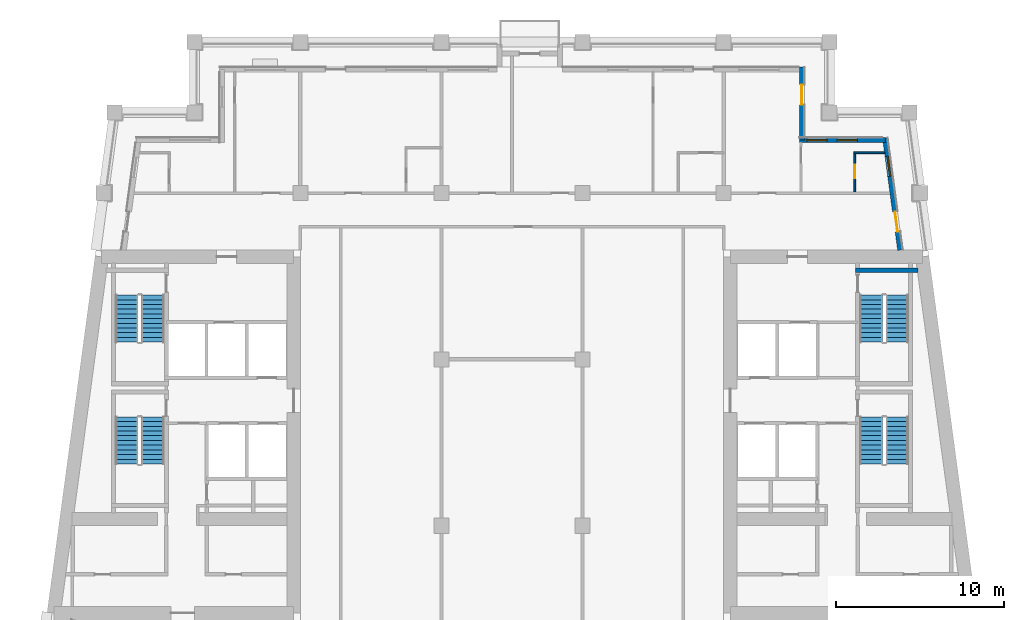
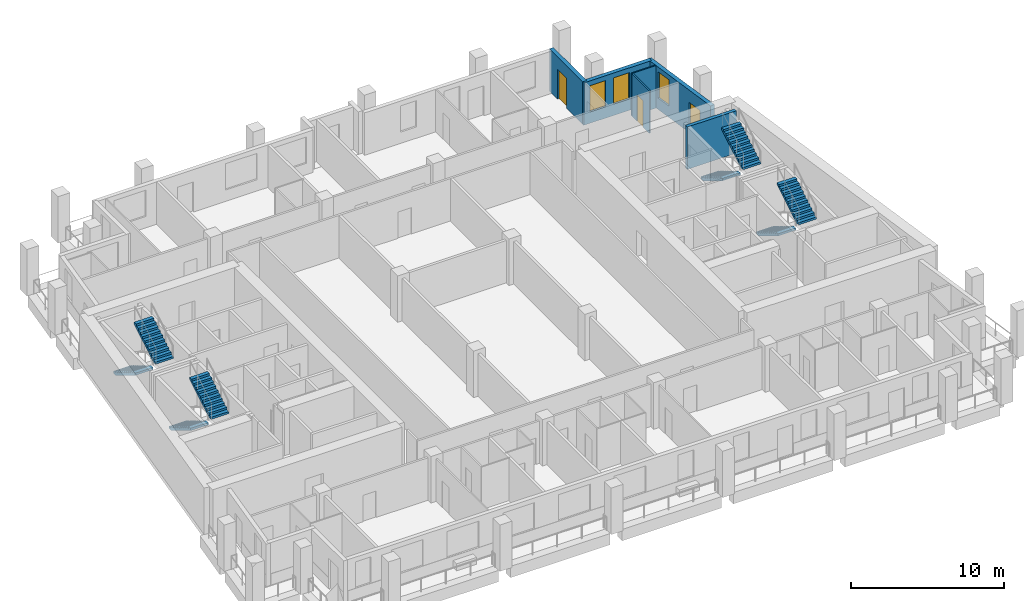
# One storey, part 7 of 12: 8 stair flights, 6 walls, 3 doors, 3 windows, 6 openings, 4 elements without a shape of their own.
"""IFC4 building model written with IfcOpenShell, lengths in metres."""

from ifc_helpers import new_model, si_unit, direction, frame, frame_2d, origin, place, context, subcontext, project, spatial, polyline, rectangle, outline, extrude, material, layer, layer_set, type_object, element, fill, aggregate, save


model = new_model("IFC4")

# Units and contexts
model_context = context("Model", 3, precision=1e-05, world=origin(), true_north=direction((0.0, 1.0)))
body_context = subcontext(model_context, "Body", "Model", "MODEL_VIEW")
ifc_project = project(units=[si_unit("LENGTHUNIT", "METRE"), si_unit("AREAUNIT", "SQUARE_METRE"), si_unit("VOLUMEUNIT", "CUBIC_METRE"), si_unit("PLANEANGLEUNIT", "RADIAN"), si_unit("MASSUNIT", "GRAM", prefix="KILO")], contexts=[model_context])

# Site, building, storey
site_placement = place(None, origin())
site = spatial("IfcSite", under=ifc_project, at=site_placement, CompositionType="ELEMENT")
building_placement = place(site_placement, origin())
building = spatial("IfcBuilding", under=site, at=building_placement, Name="Candeia Pilgrim Tower and Theatre", CompositionType="ELEMENT")
storey_placement = place(building_placement, frame((0.0, 0.0, 235.5)))
storey = spatial("IfcBuildingStorey", under=building, at=storey_placement, Name="L57", CompositionType="ELEMENT", Elevation=235.5)

# Wall, openings, door, window
ifc_material_1 = material(Name="Ceramic block masonry", Category="masonry")
ifc_layer_1 = layer(ifc_material_1, 0.300048828125)
ifc_layer_set_1 = layer_set([ifc_layer_1], Name="EW1 glazing-line wall 300")
wall_type_1 = type_object("IfcWallType", Name="EW1 glazing-line wall 300", PredefinedType="SOLIDWALL", material=ifc_layer_set_1)
wall_1_placement = place(storey_placement, frame((136.50439453125, 132.39990234375, 0.0), z_axis=(0.0, 0.0, 1.0), x_axis=(-0.133399697462, 0.99106231929, 0.0)))
wall_1 = element("IfcWall", 1, at=wall_1_placement, inside=storey, type_object=wall_type_1, Name="External wall L57-3.1", PredefinedType="SOLIDWALL", context=body_context, shape_type="SweptSolid", body=[
    extrude(rectangle(XDim=6.740478515625, YDim=0.300048828125, at=frame_2d((3.3701171875, 0.0))), origin(), (0.0, 0.0, 1.0), 3.3798828125),
])
opening_1_placement = place(wall_1_placement, frame((1.115234375, 0.0, 0.0)))
opening_1 = element("IfcOpeningElement", 2, at=opening_1_placement, cuts=wall_1, Name="Opening L57-ED549", PredefinedType="OPENING", context=body_context, shape_type="SweptSolid", body=[
    extrude(rectangle(XDim=1.199951171875, YDim=2.39990234375, at=frame_2d((0.60009765625, 1.199951171875))), frame((0.0, 0.16015625, 0.0), z_axis=(0.0, -1.0, 0.0), x_axis=(1.0, 0.0, 0.0)), (0.0, 0.0, 1.0), 0.320068359375),
])
opening_2_placement = place(wall_1_placement, frame((4.435546875, 0.0, 0.89990234375)))
opening_2 = element("IfcOpeningElement", 3, at=opening_2_placement, cuts=wall_1, Name="Opening W-B", PredefinedType="OPENING", context=body_context, shape_type="SweptSolid", body=[
    extrude(rectangle(XDim=1.199951171875, YDim=2.10009765625, at=frame_2d((0.60009765625, 1.050048828125))), frame((0.0, 0.16015625, 0.0), z_axis=(0.0, -1.0, 0.0), x_axis=(1.0, 0.0, 0.0)), (0.0, 0.0, 1.0), 0.320068359375),
])
ifc_material_2 = material(Name="Aluminium framed glazed door", Category="aluminium")
door_type_1 = type_object("IfcDoorType", Name="Loggia door 1200x2400", OperationType="DOUBLE_DOOR_SINGLE_SWING", PredefinedType="DOOR", material=ifc_material_2)
door_1_placement = place(opening_1_placement, origin())
door_1 = element("IfcDoor", 4, at=door_1_placement, inside=storey, type_object=door_type_1, Name="Loggia door L57-ED549", OperationType="DOUBLE_DOOR_SINGLE_SWING", OverallHeight=2.39990234375, OverallWidth=1.199951171875, PredefinedType="DOOR", context=body_context, shape_type="SweptSolid", body=[
    extrude(rectangle(XDim=1.199951171875, YDim=2.39990234375, at=frame_2d((0.60009765625, 1.199951171875))), frame((0.0, 0.02490234375, 0.0), z_axis=(0.0, -1.0, 0.0), x_axis=(1.0, 0.0, 0.0)), (0.0, 0.0, 1.0), 0.050048828125),
])
fill(opening_1, door_1)
ifc_material_3 = material(Name="Aluminium framed double glazing", Category="aluminium")
window_type = type_object("IfcWindowType", Name="W-B window 1200x2100", PartitioningType="SINGLE_PANEL", PredefinedType="WINDOW", material=ifc_material_3)
window_1_placement = place(opening_2_placement, origin())
window_1 = element("IfcWindow", 5, at=window_1_placement, inside=storey, type_object=window_type, Name="Window W-B L57", OverallHeight=2.10009765625, OverallWidth=1.199951171875, PartitioningType="SINGLE_PANEL", PredefinedType="WINDOW", context=body_context, shape_type="SweptSolid", body=[
    extrude(rectangle(XDim=1.199951171875, YDim=2.10009765625, at=frame_2d((0.60009765625, 1.050048828125))), frame((0.0, 0.030029296875, 0.0), z_axis=(0.0, -1.0, 0.0), x_axis=(1.0, 0.0, 0.0)), (0.0, 0.0, 1.0), 0.06005859375),
])
fill(opening_2, window_1)

# Wall, openings, windows
wall_2_placement = place(storey_placement, frame((135.62255859375, 138.949951171875, 0.0), z_axis=(0.0, 0.0, 1.0), x_axis=(-1.0, 0.0, 0.0)))
wall_2 = element("IfcWall", 6, at=wall_2_placement, inside=storey, type_object=wall_type_1, Name="External wall L57-4.0", PredefinedType="SOLIDWALL", context=body_context, shape_type="SweptSolid", body=[
    extrude(rectangle(XDim=5.12255859375, YDim=0.300048828125, at=frame_2d((2.561279296875, 0.0))), origin(), (0.0, 0.0, 1.0), 3.3798828125),
])
opening_3_placement = place(wall_2_placement, frame((1.672607421875, 0.0, 0.89990234375)))
opening_3 = element("IfcOpeningElement", 7, at=opening_3_placement, cuts=wall_2, Name="Opening W-B", PredefinedType="OPENING", context=body_context, shape_type="SweptSolid", body=[
    extrude(rectangle(XDim=1.199951171875, YDim=2.10009765625, at=frame_2d((0.60009765625, 1.050048828125))), frame((0.0, 0.16015625, 0.0), z_axis=(0.0, -1.0, 0.0), x_axis=(1.0, 0.0, 0.0)), (0.0, 0.0, 1.0), 0.320068359375),
])
opening_4_placement = place(wall_2_placement, frame((3.47265625, 0.0, 0.89990234375)))
opening_4 = element("IfcOpeningElement", 8, at=opening_4_placement, cuts=wall_2, Name="Opening W-B", PredefinedType="OPENING", context=body_context, shape_type="SweptSolid", body=[
    extrude(rectangle(XDim=1.199951171875, YDim=2.10009765625, at=frame_2d((0.60009765625, 1.050048828125))), frame((0.0, 0.16015625, 0.0), z_axis=(0.0, -1.0, 0.0), x_axis=(1.0, 0.0, 0.0)), (0.0, 0.0, 1.0), 0.320068359375),
])
window_2_placement = place(opening_3_placement, origin())
window_2 = element("IfcWindow", 9, at=window_2_placement, inside=storey, type_object=window_type, Name="Window W-B L57", OverallHeight=2.10009765625, OverallWidth=1.199951171875, PartitioningType="SINGLE_PANEL", PredefinedType="WINDOW", context=body_context, shape_type="SweptSolid", body=[
    extrude(rectangle(XDim=1.199951171875, YDim=2.10009765625, at=frame_2d((0.60009765625, 1.050048828125))), frame((0.0, 0.030029296875, 0.0), z_axis=(0.0, -1.0, 0.0), x_axis=(1.0, 0.0, 0.0)), (0.0, 0.0, 1.0), 0.06005859375),
])
fill(opening_3, window_2)
window_3_placement = place(opening_4_placement, origin())
window_3 = element("IfcWindow", 10, at=window_3_placement, inside=storey, type_object=window_type, Name="Window W-B L57", OverallHeight=2.10009765625, OverallWidth=1.199951171875, PartitioningType="SINGLE_PANEL", PredefinedType="WINDOW", context=body_context, shape_type="SweptSolid", body=[
    extrude(rectangle(XDim=1.199951171875, YDim=2.10009765625, at=frame_2d((0.60009765625, 1.050048828125))), frame((0.0, 0.030029296875, 0.0), z_axis=(0.0, -1.0, 0.0), x_axis=(1.0, 0.0, 0.0)), (0.0, 0.0, 1.0), 0.06005859375),
])
fill(opening_4, window_3)

# Wall, opening, door
wall_3_placement = place(storey_placement, frame((130.64990234375, 138.949951171875, 0.0), z_axis=(0.0, 0.0, 1.0), x_axis=(0.0, 1.0, 0.0)))
wall_3 = element("IfcWall", 11, at=wall_3_placement, inside=storey, type_object=wall_type_1, Name="External wall L57-5.0", PredefinedType="SOLIDWALL", context=body_context, shape_type="SweptSolid", body=[
    extrude(rectangle(XDim=4.35009765625, YDim=0.300048828125, at=frame_2d((2.175048828125, 0.0))), origin(), (0.0, 0.0, 1.0), 3.3798828125),
])
opening_5_placement = place(wall_3_placement, frame((2.10009765625, 0.0, 0.0)))
opening_5 = element("IfcOpeningElement", 12, at=opening_5_placement, cuts=wall_3, Name="Opening L57-ED550", PredefinedType="OPENING", context=body_context, shape_type="SweptSolid", body=[
    extrude(rectangle(XDim=1.199951171875, YDim=2.39990234375, at=frame_2d((0.60009765625, 1.199951171875))), frame((0.0, 0.16015625, 0.0), z_axis=(0.0, -1.0, 0.0), x_axis=(1.0, 0.0, 0.0)), (0.0, 0.0, 1.0), 0.320068359375),
])
door_2_placement = place(opening_5_placement, origin())
door_2 = element("IfcDoor", 13, at=door_2_placement, inside=storey, type_object=door_type_1, Name="Loggia door L57-ED550", OperationType="DOUBLE_DOOR_SINGLE_SWING", OverallHeight=2.39990234375, OverallWidth=1.199951171875, PredefinedType="DOOR", context=body_context, shape_type="SweptSolid", body=[
    extrude(rectangle(XDim=1.199951171875, YDim=2.39990234375, at=frame_2d((0.60009765625, 1.199951171875))), frame((0.0, 0.02490234375, 0.0), z_axis=(0.0, -1.0, 0.0), x_axis=(1.0, 0.0, 0.0)), (0.0, 0.0, 1.0), 0.050048828125),
])
fill(opening_5, door_2)

# Wall
ifc_material_4 = material(Name="Gypsum board partition on steel studs", Category="steel")
ifc_layer_2 = layer(ifc_material_4, 0.10009765625)
ifc_layer_set_2 = layer_set([ifc_layer_2], Name="PW-100 room partition")
wall_type_2 = type_object("IfcWallType", Name="PW-100 room partition", PredefinedType="PARTITIONING", material=ifc_layer_set_2)
wall_4_placement = place(storey_placement, frame((133.75, 138.199951171875, 0.0), z_axis=(0.0, 0.0, 1.0), x_axis=(1.0, 0.0, 0.0)))
element("IfcWall", 14, at=wall_4_placement, inside=storey, type_object=wall_type_2, Name="Room partition L57-043", PredefinedType="PARTITIONING", context=body_context, shape_type="SweptSolid", body=[
    extrude(rectangle(XDim=1.832275390625, YDim=0.10009765625, at=frame_2d((0.916015625, 0.0))), origin(), (0.0, 0.0, 1.0), 3.3798828125),
])

# Wall, opening, door
wall_5_placement = place(storey_placement, frame((133.800048828125, 135.875, 0.0), z_axis=(0.0, 0.0, 1.0), x_axis=(0.0, 1.0, 0.0)))
wall_5 = element("IfcWall", 15, at=wall_5_placement, inside=storey, type_object=wall_type_2, Name="Room partition L57-101", PredefinedType="PARTITIONING", context=body_context, shape_type="SweptSolid", body=[
    extrude(rectangle(XDim=2.27490234375, YDim=0.10009765625, at=frame_2d((1.137451171875, 0.0))), origin(), (0.0, 0.0, 1.0), 3.3798828125),
])
opening_6_placement = place(wall_5_placement, frame((0.81494140625, 0.0, 0.0)))
opening_6 = element("IfcOpeningElement", 16, at=opening_6_placement, cuts=wall_5, Name="Opening L57-D042", PredefinedType="OPENING", context=body_context, shape_type="SweptSolid", body=[
    extrude(rectangle(XDim=0.800048828125, YDim=2.10009765625, at=frame_2d((0.39990234375, 1.050048828125))), frame((0.0, 0.06005859375, 0.0), z_axis=(0.0, -1.0, 0.0), x_axis=(1.0, 0.0, 0.0)), (0.0, 0.0, 1.0), 0.1201171875),
])
ifc_material_5 = material(Name="Timber door leaf", Category="wood")
door_type_2 = type_object("IfcDoorType", Name="D-800", OperationType="NOTDEFINED", PredefinedType="DOOR", material=ifc_material_5)
door_3_placement = place(opening_6_placement, origin())
door_3 = element("IfcDoor", 17, at=door_3_placement, inside=storey, type_object=door_type_2, Name="Door L57-D042", OperationType="SINGLE_SWING_LEFT", OverallHeight=2.10009765625, OverallWidth=0.800048828125, PredefinedType="DOOR", context=body_context, shape_type="SweptSolid", body=[
    extrude(rectangle(XDim=0.800048828125, YDim=2.10009765625, at=frame_2d((0.39990234375, 1.050048828125))), frame((0.0, 0.02490234375, 0.0), z_axis=(0.0, -1.0, 0.0), x_axis=(1.0, 0.0, 0.0)), (0.0, 0.0, 1.0), 0.050048828125),
])
fill(opening_6, door_3)

# Wall
ifc_material_6 = material(Name="Concrete C40/50", Category="concrete")
ifc_layer_3 = layer(ifc_material_6, 0.25)
ifc_layer_set_3 = layer_set([ifc_layer_3], Name="SW-250 stair wall")
wall_type_3 = type_object("IfcWallType", Name="SW-250 stair wall", PredefinedType="PARTITIONING", material=ifc_layer_set_3)
wall_6_placement = place(storey_placement, frame((133.847900390625, 131.199951171875, 0.0), z_axis=(0.0, 0.0, 1.0), x_axis=(1.0, 0.0, 0.0)))
element("IfcWall", 18, at=wall_6_placement, inside=storey, type_object=wall_type_3, Name="Stair wall L57-038", PredefinedType="PARTITIONING", context=body_context, shape_type="SweptSolid", body=[
    extrude(rectangle(XDim=3.705810546875, YDim=0.25, at=frame_2d((1.85302734375, 0.0))), origin(), (0.0, 0.0, 1.0), 3.3798828125),
])

# Stair, stair flights
stair_type = type_object("IfcStairType", Name="ST-TWR dog-leg escape stair", PredefinedType="HALF_TURN_STAIR", material=ifc_material_6)
stair_1_placement = place(storey_placement, origin())
stair_1 = element("IfcStair", 19, at=stair_1_placement, inside=storey, type_object=stair_type, Name="L57 Escape stair ST1", PredefinedType="HALF_TURN_STAIR")
stair_flight_type = type_object("IfcStairFlightType", Name="SFL-RC stair flight", PredefinedType="STRAIGHT", material=ifc_material_6)
stair_flight_1_placement = place(storey_placement, frame((90.47705078125, 122.47509765625, 0.0), z_axis=(0.0, 0.0, 1.0), x_axis=(0.0, -1.0, 0.0)))
stair_flight_1 = element("IfcStairFlight", 20, at=stair_flight_1_placement, type_object=stair_flight_type, Name="ST1 flight 1", NumberOfRisers=11, NumberOfTreads=10, PredefinedType="STRAIGHT", RiserHeight=0.168181818, TreadLength=0.28, context=body_context, shape_type="SweptSolid", body=[
    extrude(outline(polyline([(0.0, 0.0), (0.0, 0.168212890625), (0.280029296875, 0.168212890625), (0.280029296875, 0.33642578125), (0.56005859375, 0.33642578125), (0.56005859375, 0.504638671875), (0.840087890625, 0.504638671875), (0.840087890625, 0.672607421875), (1.1201171875, 0.672607421875), (1.1201171875, 0.8408203125), (1.39990234375, 0.8408203125), (1.39990234375, 1.009033203125), (1.679931640625, 1.009033203125), (1.679931640625, 1.17724609375), (1.9599609375, 1.17724609375), (1.9599609375, 1.345458984375), (2.239990234375, 1.345458984375), (2.239990234375, 1.513671875), (2.52001953125, 1.513671875), (2.52001953125, 1.681884765625), (2.800048828125, 1.681884765625), (2.800048828125, 1.85009765625), (2.800048828125, 1.5068359375), (0.291015625, 0.0), (0.0, 0.0)])), frame((0.0, 0.675048828125, 0.0), z_axis=(0.0, -1.0, 0.0), x_axis=(1.0, 0.0, 0.0)), (0.0, 0.0, 1.0), 1.35009765625),
])
stair_flight_2_placement = place(storey_placement, frame((92.027099609375, 119.675048828125, 1.85009765625), z_axis=(0.0, 0.0, 1.0), x_axis=(0.0, 1.0, 0.0)))
stair_flight_2 = element("IfcStairFlight", 21, at=stair_flight_2_placement, type_object=stair_flight_type, Name="ST1 flight 2", NumberOfRisers=11, NumberOfTreads=10, PredefinedType="STRAIGHT", RiserHeight=0.168181818, TreadLength=0.28, context=body_context, shape_type="SweptSolid", body=[
    extrude(outline(polyline([(0.0, 0.0), (0.0, 0.168212890625), (0.280029296875, 0.168212890625), (0.280029296875, 0.33642578125), (0.56005859375, 0.33642578125), (0.56005859375, 0.504638671875), (0.840087890625, 0.504638671875), (0.840087890625, 0.672607421875), (1.1201171875, 0.672607421875), (1.1201171875, 0.8408203125), (1.39990234375, 0.8408203125), (1.39990234375, 1.009033203125), (1.679931640625, 1.009033203125), (1.679931640625, 1.17724609375), (1.9599609375, 1.17724609375), (1.9599609375, 1.345458984375), (2.239990234375, 1.345458984375), (2.239990234375, 1.513671875), (2.52001953125, 1.513671875), (2.52001953125, 1.681884765625), (2.800048828125, 1.681884765625), (2.800048828125, 1.85009765625), (2.800048828125, 1.5068359375), (0.291015625, 0.0), (0.0, 0.0)])), frame((0.0, 0.675048828125, 0.0), z_axis=(0.0, -1.0, 0.0), x_axis=(1.0, 0.0, 0.0)), (0.0, 0.0, 1.0), 1.35009765625),
])
aggregate(stair_1, [stair_flight_1, stair_flight_2])

stair_2_placement = place(storey_placement, origin())
stair_2 = element("IfcStair", 22, at=stair_2_placement, inside=storey, type_object=stair_type, Name="L57 Escape stair ST2", PredefinedType="HALF_TURN_STAIR")
stair_flight_3_placement = place(storey_placement, frame((90.47705078125, 129.72509765625, 0.0), z_axis=(0.0, 0.0, 1.0), x_axis=(0.0, -1.0, 0.0)))
stair_flight_3 = element("IfcStairFlight", 23, at=stair_flight_3_placement, type_object=stair_flight_type, Name="ST2 flight 1", NumberOfRisers=11, NumberOfTreads=10, PredefinedType="STRAIGHT", RiserHeight=0.168181818, TreadLength=0.28, context=body_context, shape_type="SweptSolid", body=[
    extrude(outline(polyline([(0.0, 0.0), (0.0, 0.168212890625), (0.280029296875, 0.168212890625), (0.280029296875, 0.33642578125), (0.56005859375, 0.33642578125), (0.56005859375, 0.504638671875), (0.840087890625, 0.504638671875), (0.840087890625, 0.672607421875), (1.1201171875, 0.672607421875), (1.1201171875, 0.8408203125), (1.39990234375, 0.8408203125), (1.39990234375, 1.009033203125), (1.679931640625, 1.009033203125), (1.679931640625, 1.17724609375), (1.9599609375, 1.17724609375), (1.9599609375, 1.345458984375), (2.239990234375, 1.345458984375), (2.239990234375, 1.513671875), (2.52001953125, 1.513671875), (2.52001953125, 1.681884765625), (2.800048828125, 1.681884765625), (2.800048828125, 1.85009765625), (2.800048828125, 1.5068359375), (0.291015625, 0.0), (0.0, 0.0)])), frame((0.0, 0.675048828125, 0.0), z_axis=(0.0, -1.0, 0.0), x_axis=(1.0, 0.0, 0.0)), (0.0, 0.0, 1.0), 1.35009765625),
])
stair_flight_4_placement = place(storey_placement, frame((92.027099609375, 126.925048828125, 1.85009765625), z_axis=(0.0, 0.0, 1.0), x_axis=(0.0, 1.0, 0.0)))
stair_flight_4 = element("IfcStairFlight", 24, at=stair_flight_4_placement, type_object=stair_flight_type, Name="ST2 flight 2", NumberOfRisers=11, NumberOfTreads=10, PredefinedType="STRAIGHT", RiserHeight=0.168181818, TreadLength=0.28, context=body_context, shape_type="SweptSolid", body=[
    extrude(outline(polyline([(0.0, 0.0), (0.0, 0.168212890625), (0.280029296875, 0.168212890625), (0.280029296875, 0.33642578125), (0.56005859375, 0.33642578125), (0.56005859375, 0.504638671875), (0.840087890625, 0.504638671875), (0.840087890625, 0.672607421875), (1.1201171875, 0.672607421875), (1.1201171875, 0.8408203125), (1.39990234375, 0.8408203125), (1.39990234375, 1.009033203125), (1.679931640625, 1.009033203125), (1.679931640625, 1.17724609375), (1.9599609375, 1.17724609375), (1.9599609375, 1.345458984375), (2.239990234375, 1.345458984375), (2.239990234375, 1.513671875), (2.52001953125, 1.513671875), (2.52001953125, 1.681884765625), (2.800048828125, 1.681884765625), (2.800048828125, 1.85009765625), (2.800048828125, 1.5068359375), (0.291015625, 0.0), (0.0, 0.0)])), frame((0.0, 0.675048828125, 0.0), z_axis=(0.0, -1.0, 0.0), x_axis=(1.0, 0.0, 0.0)), (0.0, 0.0, 1.0), 1.35009765625),
])
aggregate(stair_2, [stair_flight_3, stair_flight_4])

stair_3_placement = place(storey_placement, origin())
stair_3 = element("IfcStair", 25, at=stair_3_placement, inside=storey, type_object=stair_type, Name="L57 Escape stair ST3", PredefinedType="HALF_TURN_STAIR")
stair_flight_5_placement = place(storey_placement, frame((134.77294921875, 122.47509765625, 0.0), z_axis=(0.0, 0.0, 1.0), x_axis=(0.0, -1.0, 0.0)))
stair_flight_5 = element("IfcStairFlight", 26, at=stair_flight_5_placement, type_object=stair_flight_type, Name="ST3 flight 1", NumberOfRisers=11, NumberOfTreads=10, PredefinedType="STRAIGHT", RiserHeight=0.168181818, TreadLength=0.28, context=body_context, shape_type="SweptSolid", body=[
    extrude(outline(polyline([(0.0, 0.0), (0.0, 0.168212890625), (0.280029296875, 0.168212890625), (0.280029296875, 0.33642578125), (0.56005859375, 0.33642578125), (0.56005859375, 0.504638671875), (0.840087890625, 0.504638671875), (0.840087890625, 0.672607421875), (1.1201171875, 0.672607421875), (1.1201171875, 0.8408203125), (1.39990234375, 0.8408203125), (1.39990234375, 1.009033203125), (1.679931640625, 1.009033203125), (1.679931640625, 1.17724609375), (1.9599609375, 1.17724609375), (1.9599609375, 1.345458984375), (2.239990234375, 1.345458984375), (2.239990234375, 1.513671875), (2.52001953125, 1.513671875), (2.52001953125, 1.681884765625), (2.800048828125, 1.681884765625), (2.800048828125, 1.85009765625), (2.800048828125, 1.5068359375), (0.291015625, 0.0), (0.0, 0.0)])), frame((0.0, 0.675048828125, 0.0), z_axis=(0.0, -1.0, 0.0), x_axis=(1.0, 0.0, 0.0)), (0.0, 0.0, 1.0), 1.35009765625),
])
stair_flight_6_placement = place(storey_placement, frame((136.322998046875, 119.675048828125, 1.85009765625), z_axis=(0.0, 0.0, 1.0), x_axis=(0.0, 1.0, 0.0)))
stair_flight_6 = element("IfcStairFlight", 27, at=stair_flight_6_placement, type_object=stair_flight_type, Name="ST3 flight 2", NumberOfRisers=11, NumberOfTreads=10, PredefinedType="STRAIGHT", RiserHeight=0.168181818, TreadLength=0.28, context=body_context, shape_type="SweptSolid", body=[
    extrude(outline(polyline([(0.0, 0.0), (0.0, 0.168212890625), (0.280029296875, 0.168212890625), (0.280029296875, 0.33642578125), (0.56005859375, 0.33642578125), (0.56005859375, 0.504638671875), (0.840087890625, 0.504638671875), (0.840087890625, 0.672607421875), (1.1201171875, 0.672607421875), (1.1201171875, 0.8408203125), (1.39990234375, 0.8408203125), (1.39990234375, 1.009033203125), (1.679931640625, 1.009033203125), (1.679931640625, 1.17724609375), (1.9599609375, 1.17724609375), (1.9599609375, 1.345458984375), (2.239990234375, 1.345458984375), (2.239990234375, 1.513671875), (2.52001953125, 1.513671875), (2.52001953125, 1.681884765625), (2.800048828125, 1.681884765625), (2.800048828125, 1.85009765625), (2.800048828125, 1.5068359375), (0.291015625, 0.0), (0.0, 0.0)])), frame((0.0, 0.675048828125, 0.0), z_axis=(0.0, -1.0, 0.0), x_axis=(1.0, 0.0, 0.0)), (0.0, 0.0, 1.0), 1.35009765625),
])
aggregate(stair_3, [stair_flight_5, stair_flight_6])

stair_4_placement = place(storey_placement, origin())
stair_4 = element("IfcStair", 28, at=stair_4_placement, inside=storey, type_object=stair_type, Name="L57 Escape stair ST4", PredefinedType="HALF_TURN_STAIR")
stair_flight_7_placement = place(storey_placement, frame((134.77294921875, 129.72509765625, 0.0), z_axis=(0.0, 0.0, 1.0), x_axis=(0.0, -1.0, 0.0)))
stair_flight_7 = element("IfcStairFlight", 29, at=stair_flight_7_placement, type_object=stair_flight_type, Name="ST4 flight 1", NumberOfRisers=11, NumberOfTreads=10, PredefinedType="STRAIGHT", RiserHeight=0.168181818, TreadLength=0.28, context=body_context, shape_type="SweptSolid", body=[
    extrude(outline(polyline([(0.0, 0.0), (0.0, 0.168212890625), (0.280029296875, 0.168212890625), (0.280029296875, 0.33642578125), (0.56005859375, 0.33642578125), (0.56005859375, 0.504638671875), (0.840087890625, 0.504638671875), (0.840087890625, 0.672607421875), (1.1201171875, 0.672607421875), (1.1201171875, 0.8408203125), (1.39990234375, 0.8408203125), (1.39990234375, 1.009033203125), (1.679931640625, 1.009033203125), (1.679931640625, 1.17724609375), (1.9599609375, 1.17724609375), (1.9599609375, 1.345458984375), (2.239990234375, 1.345458984375), (2.239990234375, 1.513671875), (2.52001953125, 1.513671875), (2.52001953125, 1.681884765625), (2.800048828125, 1.681884765625), (2.800048828125, 1.85009765625), (2.800048828125, 1.5068359375), (0.291015625, 0.0), (0.0, 0.0)])), frame((0.0, 0.675048828125, 0.0), z_axis=(0.0, -1.0, 0.0), x_axis=(1.0, 0.0, 0.0)), (0.0, 0.0, 1.0), 1.35009765625),
])
stair_flight_8_placement = place(storey_placement, frame((136.322998046875, 126.925048828125, 1.85009765625), z_axis=(0.0, 0.0, 1.0), x_axis=(0.0, 1.0, 0.0)))
stair_flight_8 = element("IfcStairFlight", 30, at=stair_flight_8_placement, type_object=stair_flight_type, Name="ST4 flight 2", NumberOfRisers=11, NumberOfTreads=10, PredefinedType="STRAIGHT", RiserHeight=0.168181818, TreadLength=0.28, context=body_context, shape_type="SweptSolid", body=[
    extrude(outline(polyline([(0.0, 0.0), (0.0, 0.168212890625), (0.280029296875, 0.168212890625), (0.280029296875, 0.33642578125), (0.56005859375, 0.33642578125), (0.56005859375, 0.504638671875), (0.840087890625, 0.504638671875), (0.840087890625, 0.672607421875), (1.1201171875, 0.672607421875), (1.1201171875, 0.8408203125), (1.39990234375, 0.8408203125), (1.39990234375, 1.009033203125), (1.679931640625, 1.009033203125), (1.679931640625, 1.17724609375), (1.9599609375, 1.17724609375), (1.9599609375, 1.345458984375), (2.239990234375, 1.345458984375), (2.239990234375, 1.513671875), (2.52001953125, 1.513671875), (2.52001953125, 1.681884765625), (2.800048828125, 1.681884765625), (2.800048828125, 1.85009765625), (2.800048828125, 1.5068359375), (0.291015625, 0.0), (0.0, 0.0)])), frame((0.0, 0.675048828125, 0.0), z_axis=(0.0, -1.0, 0.0), x_axis=(1.0, 0.0, 0.0)), (0.0, 0.0, 1.0), 1.35009765625),
])
aggregate(stair_4, [stair_flight_7, stair_flight_8])

save(model, "model.ifc")
